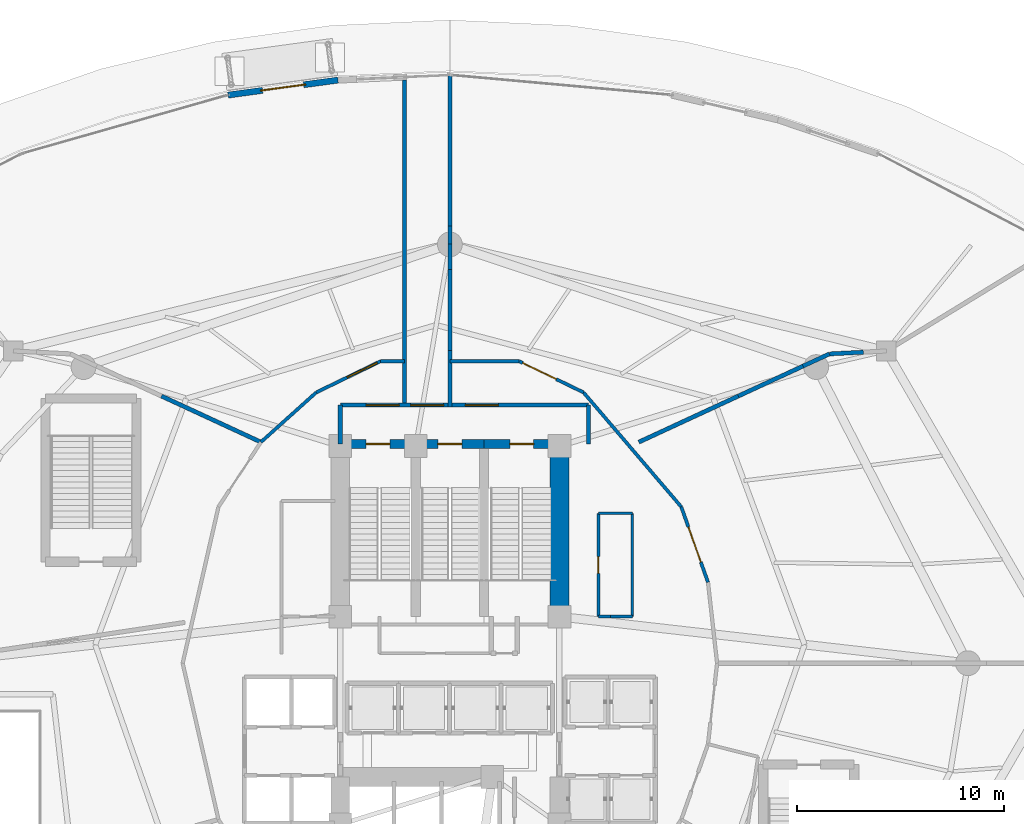
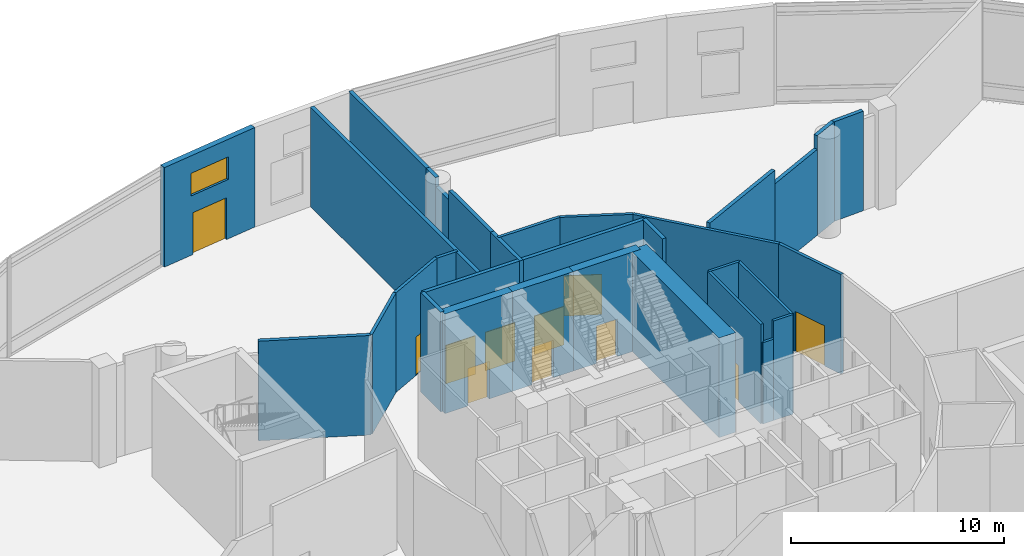
# One storey, part 34 of 40: 32 walls, 11 doors, 1 window, 12 openings.
"""IFC4 building model written with IfcOpenShell, lengths in metres."""

from ifc_helpers import new_model, si_unit, direction, frame, frame_2d, origin, place, context, subcontext, project, spatial, rectangle, extrude, material, layer, layer_set, type_object, element, fill, save


model = new_model("IFC4")

# Units and contexts
model_context = context("Model", 3, precision=1e-05, world=origin(), true_north=direction((0.0, 1.0)))
body_context = subcontext(model_context, "Body", "Model", "MODEL_VIEW")
ifc_project = project(units=[si_unit("LENGTHUNIT", "METRE"), si_unit("AREAUNIT", "SQUARE_METRE"), si_unit("VOLUMEUNIT", "CUBIC_METRE"), si_unit("PLANEANGLEUNIT", "RADIAN"), si_unit("MASSUNIT", "GRAM", prefix="KILO")], contexts=[model_context])

# Site, building, storey
site_placement = place(None, origin())
site = spatial("IfcSite", under=ifc_project, at=site_placement, CompositionType="ELEMENT")
building_placement = place(site_placement, origin())
building = spatial("IfcBuilding", under=site, at=building_placement, Name="Nuhasar Tower", CompositionType="ELEMENT")
storey_placement = place(building_placement, origin())
storey = spatial("IfcBuildingStorey", under=building, at=storey_placement, Name="L00", CompositionType="ELEMENT", Elevation=0.0)

# Wall, openings, door, window
ifc_material_1 = material(Name="Concrete C45/55", Category="concrete")
ifc_layer_1 = layer(ifc_material_1, 0.239990234375)
ifc_material_2 = material(Name="Limestone Ashlar", Category="masonry")
ifc_layer_2 = layer(ifc_material_2, 0.06005859375)
ifc_layer_set_1 = layer_set([ifc_layer_1, ifc_layer_2], Name="Concrete C45/55")
wall_type_1 = type_object("IfcWallType", Name="WL-ARC-300", PredefinedType="STANDARD", material=ifc_layer_set_1)
wall_1_placement = place(storey_placement, frame((28.27490234375, 54.27099609375, 0.0), z_axis=(0.0, 0.0, 1.0), x_axis=(0.99080162659, 0.135322343857, 0.0)))
wall_1 = element("IfcWall", 1, at=wall_1_placement, inside=storey, type_object=wall_type_1, Name="L00 Limestone Arcade Spandrel Pier 07-2", PredefinedType="STANDARD", context=body_context, shape_type="SweptSolid", body=[
    extrude(rectangle(XDim=5.365478515625, YDim=0.300048828125, at=frame_2d((2.6826171875, 0.0))), origin(), (0.0, 0.0, 1.0), 5.699951171875),
])
opening_1_placement = place(wall_1_placement, frame((1.68310546875, 0.0, 0.0)))
opening_1 = element("IfcOpeningElement", 2, at=opening_1_placement, cuts=wall_1, Name="Opening DX-01", PredefinedType="OPENING", context=body_context, shape_type="SweptSolid", body=[
    extrude(rectangle(XDim=2.0, YDim=2.39990234375, at=frame_2d((1.0, 1.199951171875))), frame((0.0, 0.16015625, 0.0), z_axis=(0.0, -1.0, 0.0), x_axis=(1.0, 0.0, 0.0)), (0.0, 0.0, 1.0), 0.320068359375),
])
opening_2_placement = place(wall_1_placement, frame((1.5830078125, 0.0, 3.39990234375)))
opening_2 = element("IfcOpeningElement", 3, at=opening_2_placement, cuts=wall_1, Name="Opening WX-03", PredefinedType="OPENING", context=body_context, shape_type="SweptSolid", body=[
    extrude(rectangle(XDim=2.199951171875, YDim=1.300048828125, at=frame_2d((1.10009765625, 0.64990234375))), frame((0.0, 0.16015625, 0.0), z_axis=(0.0, -1.0, 0.0), x_axis=(1.0, 0.0, 0.0)), (0.0, 0.0, 1.0), 0.320068359375),
])
ifc_material_3 = material(Name="Aluminium 6063-T6", Category="aluminium")
door_type_1 = type_object("IfcDoorType", Name="DR-EXT-2000", OperationType="DOUBLE_DOOR_SINGLE_SWING", PredefinedType="DOOR", material=ifc_material_3)
door_1_placement = place(opening_1_placement, origin())
door_1 = element("IfcDoor", 4, at=door_1_placement, inside=storey, type_object=door_type_1, Name="L00 Main Plaza Entrance Portal 07", OperationType="DOUBLE_DOOR_SINGLE_SWING", OverallHeight=2.39990234375, OverallWidth=2.0, PredefinedType="DOOR", context=body_context, shape_type="SweptSolid", body=[
    extrude(rectangle(XDim=2.0, YDim=2.39990234375, at=frame_2d((1.0, 1.199951171875))), frame((0.0, 0.02490234375, 0.0), z_axis=(0.0, -1.0, 0.0), x_axis=(1.0, 0.0, 0.0)), (0.0, 0.0, 1.0), 0.050048828125),
])
fill(opening_1, door_1)
ifc_material_4 = material(Name="Glass Double Low-E", Category="glass")
window_type = type_object("IfcWindowType", Name="WIN-CLER-2200", PartitioningType="DOUBLE_PANEL_HORIZONTAL", PredefinedType="WINDOW", material=ifc_material_4)
window_placement = place(opening_2_placement, origin())
window = element("IfcWindow", 5, at=window_placement, inside=storey, type_object=window_type, Name="L00 Clerestory Light Window 07-2", OverallHeight=1.300048828125, OverallWidth=2.199951171875, PartitioningType="DOUBLE_PANEL_HORIZONTAL", PredefinedType="WINDOW", context=body_context, shape_type="SweptSolid", body=[
    extrude(rectangle(XDim=2.199951171875, YDim=1.300048828125, at=frame_2d((1.10009765625, 0.64990234375))), frame((0.0, 0.030029296875, 0.0), z_axis=(0.0, -1.0, 0.0), x_axis=(1.0, 0.0, 0.0)), (0.0, 0.0, 1.0), 0.06005859375),
])
fill(opening_2, window)

# Wall, opening, door
ifc_material_5 = material(Name="Concrete C50/60", Category="concrete")
ifc_layer_3 = layer(ifc_material_5, 0.449951171875)
ifc_layer_set_2 = layer_set([ifc_layer_3], Name="Concrete C50/60")
wall_type_2 = type_object("IfcWallType", Name="WL-CORE-450", PredefinedType="SHEAR", material=ifc_layer_set_2)
wall_2_placement = place(storey_placement, frame((33.699951171875, 37.39990234375, 0.0), z_axis=(0.0, 0.0, 1.0), x_axis=(1.0, 0.0, 0.0)))
wall_2 = element("IfcWall", 6, at=wall_2_placement, inside=storey, type_object=wall_type_2, Name="L00 Stairwell Shear Wall ST01-N", PredefinedType="SHEAR", context=body_context, shape_type="SweptSolid", body=[
    extrude(rectangle(XDim=3.650146484375, YDim=0.449951171875, at=frame_2d((1.8251953125, 0.0))), origin(), (0.0, 0.0, 1.0), 5.699951171875),
])
opening_3_placement = place(wall_2_placement, frame((1.25, 0.0, 0.0)))
opening_3 = element("IfcOpeningElement", 7, at=opening_3_placement, cuts=wall_2, Name="Opening DS-01", PredefinedType="OPENING", context=body_context, shape_type="SweptSolid", body=[
    extrude(rectangle(XDim=1.14990234375, YDim=2.14990234375, at=frame_2d((0.574951171875, 1.074951171875))), frame((0.0, 0.23486328125, 0.0), z_axis=(0.0, -1.0, 0.0), x_axis=(1.0, 0.0, 0.0)), (0.0, 0.0, 1.0), 0.469970703125),
])
ifc_material_6 = material(Name="Steel S355", Category="steel")
door_type_2 = type_object("IfcDoorType", Name="DR-STAIR-FD120-1150", OperationType="NOTDEFINED", PredefinedType="DOOR", material=ifc_material_6)
door_2_placement = place(opening_3_placement, origin())
door_2 = element("IfcDoor", 8, at=door_2_placement, inside=storey, type_object=door_type_2, Name="L00 Exit Stair ST-01 Door", OperationType="SINGLE_SWING_RIGHT", OverallHeight=2.14990234375, OverallWidth=1.14990234375, PredefinedType="DOOR", context=body_context, shape_type="SweptSolid", body=[
    extrude(rectangle(XDim=1.14990234375, YDim=2.14990234375, at=frame_2d((0.574951171875, 1.074951171875))), frame((0.0, 0.02490234375, 0.0), z_axis=(0.0, -1.0, 0.0), x_axis=(1.0, 0.0, 0.0)), (0.0, 0.0, 1.0), 0.050048828125),
])
fill(opening_3, door_2)

wall_3_placement = place(storey_placement, frame((37.35009765625, 37.39990234375, 0.0), z_axis=(0.0, 0.0, 1.0), x_axis=(1.0, 0.0, 0.0)))
wall_3 = element("IfcWall", 9, at=wall_3_placement, inside=storey, type_object=wall_type_2, Name="L00 Stairwell Shear Wall ST03-N", PredefinedType="SHEAR", context=body_context, shape_type="SweptSolid", body=[
    extrude(rectangle(XDim=3.2998046875, YDim=0.449951171875, at=frame_2d((1.64990234375, 0.0))), origin(), (0.0, 0.0, 1.0), 5.699951171875),
])
opening_4_placement = place(wall_3_placement, frame((1.074951171875, 0.0, 0.0)))
opening_4 = element("IfcOpeningElement", 10, at=opening_4_placement, cuts=wall_3, Name="Opening DS-01", PredefinedType="OPENING", context=body_context, shape_type="SweptSolid", body=[
    extrude(rectangle(XDim=1.14990234375, YDim=2.14990234375, at=frame_2d((0.574951171875, 1.074951171875))), frame((0.0, 0.23486328125, 0.0), z_axis=(0.0, -1.0, 0.0), x_axis=(1.0, 0.0, 0.0)), (0.0, 0.0, 1.0), 0.469970703125),
])
door_3_placement = place(opening_4_placement, origin())
door_3 = element("IfcDoor", 11, at=door_3_placement, inside=storey, type_object=door_type_2, Name="L00 Exit Stair ST-03 Door", OperationType="SINGLE_SWING_RIGHT", OverallHeight=2.14990234375, OverallWidth=1.14990234375, PredefinedType="DOOR", context=body_context, shape_type="SweptSolid", body=[
    extrude(rectangle(XDim=1.14990234375, YDim=2.14990234375, at=frame_2d((0.574951171875, 1.074951171875))), frame((0.0, 0.02490234375, 0.0), z_axis=(0.0, -1.0, 0.0), x_axis=(1.0, 0.0, 0.0)), (0.0, 0.0, 1.0), 0.050048828125),
])
fill(opening_4, door_3)

wall_4_placement = place(storey_placement, frame((40.64990234375, 37.39990234375, 0.0), z_axis=(0.0, 0.0, 1.0), x_axis=(1.0, 0.0, 0.0)))
wall_4 = element("IfcWall", 12, at=wall_4_placement, inside=storey, type_object=wall_type_2, Name="L00 Stairwell Shear Wall ST02-N", PredefinedType="SHEAR", context=body_context, shape_type="SweptSolid", body=[
    extrude(rectangle(XDim=3.650146484375, YDim=0.449951171875, at=frame_2d((1.8251953125, 0.0))), origin(), (0.0, 0.0, 1.0), 5.699951171875),
])
opening_5_placement = place(wall_4_placement, frame((1.25, 0.0, 0.0)))
opening_5 = element("IfcOpeningElement", 13, at=opening_5_placement, cuts=wall_4, Name="Opening DS-01", PredefinedType="OPENING", context=body_context, shape_type="SweptSolid", body=[
    extrude(rectangle(XDim=1.14990234375, YDim=2.14990234375, at=frame_2d((0.574951171875, 1.074951171875))), frame((0.0, 0.23486328125, 0.0), z_axis=(0.0, -1.0, 0.0), x_axis=(1.0, 0.0, 0.0)), (0.0, 0.0, 1.0), 0.469970703125),
])
door_4_placement = place(opening_5_placement, origin())
door_4 = element("IfcDoor", 14, at=door_4_placement, inside=storey, type_object=door_type_2, Name="L00 Exit Stair ST-02 Door", OperationType="SINGLE_SWING_LEFT", OverallHeight=2.14990234375, OverallWidth=1.14990234375, PredefinedType="DOOR", context=body_context, shape_type="SweptSolid", body=[
    extrude(rectangle(XDim=1.14990234375, YDim=2.14990234375, at=frame_2d((0.574951171875, 1.074951171875))), frame((0.0, 0.02490234375, 0.0), z_axis=(0.0, -1.0, 0.0), x_axis=(1.0, 0.0, 0.0)), (0.0, 0.0, 1.0), 0.050048828125),
])
fill(opening_5, door_4)

# Wall
ifc_material_7 = material(Name="Concrete C80/95", Category="concrete")
ifc_layer_4 = layer(ifc_material_7, 0.89990234375)
ifc_layer_set_3 = layer_set([ifc_layer_4], Name="Concrete C80/95")
wall_type_3 = type_object("IfcWallType", Name="WL-CORE-900", PredefinedType="SHEAR", material=ifc_layer_set_3)
wall_5_placement = place(storey_placement, frame((44.300048828125, 29.050048828125, 0.0), z_axis=(0.0, 0.0, 1.0), x_axis=(0.0, 1.0, 0.0)))
element("IfcWall", 15, at=wall_5_placement, inside=storey, type_object=wall_type_3, Name="L00 Core Shear Wall CW-NE CW-900", PredefinedType="SHEAR", context=body_context, shape_type="SweptSolid", body=[
    extrude(rectangle(XDim=8.349853515625, YDim=0.89990234375, at=frame_2d((4.1748046875, 0.0))), origin(), (0.0, 0.0, 1.0), 5.699951171875),
])

# Wall, opening, door
ifc_material_8 = material(Name="Gypsum Board", Category="gypsum")
ifc_layer_5 = layer(ifc_material_8, 0.159912109375)
ifc_layer_set_4 = layer_set([ifc_layer_5], Name="Gypsum Board")
wall_type_4 = type_object("IfcWallType", Name="WL-CORR-160", PredefinedType="PARTITIONING", material=ifc_layer_set_4)
wall_6_placement = place(storey_placement, frame((50.18896484375, 34.360107421875, 0.0), z_axis=(0.0, 0.0, 1.0), x_axis=(0.333684770033, -0.942684716248, 0.0)))
wall_6 = element("IfcWall", 16, at=wall_6_placement, inside=storey, type_object=wall_type_4, Name="L00 Interior Partition CORR-02", PredefinedType="PARTITIONING", context=body_context, shape_type="SweptSolid", body=[
    extrude(rectangle(XDim=3.868896484375, YDim=0.159912109375, at=frame_2d((1.9345703125, 0.0))), origin(), (0.0, 0.0, 1.0), 5.699951171875),
])
opening_6_placement = place(wall_6_placement, frame((1.033935546875, 0.0, 0.0)))
opening_6 = element("IfcOpeningElement", 17, at=opening_6_placement, cuts=wall_6, Name="Opening DB-02", PredefinedType="OPENING", context=body_context, shape_type="SweptSolid", body=[
    extrude(rectangle(XDim=1.800048828125, YDim=2.300048828125, at=frame_2d((0.89990234375, 1.14990234375))), frame((0.0, 0.08984375, 0.0), z_axis=(0.0, -1.0, 0.0), x_axis=(1.0, 0.0, 0.0)), (0.0, 0.0, 1.0), 0.179931640625),
])
door_type_3 = type_object("IfcDoorType", Name="DR-BALL-FD60-1800", OperationType="DOUBLE_DOOR_SINGLE_SWING", PredefinedType="DOOR", material=ifc_material_3)
door_5_placement = place(opening_6_placement, origin())
door_5 = element("IfcDoor", 18, at=door_5_placement, inside=storey, type_object=door_type_3, Name="L00 Grand Tower Reception Hall Door", OperationType="DOUBLE_DOOR_SINGLE_SWING", OverallHeight=2.300048828125, OverallWidth=1.800048828125, PredefinedType="DOOR", context=body_context, shape_type="SweptSolid", body=[
    extrude(rectangle(XDim=1.800048828125, YDim=2.300048828125, at=frame_2d((0.89990234375, 1.14990234375))), frame((0.0, 0.02490234375, 0.0), z_axis=(0.0, -1.0, 0.0), x_axis=(1.0, 0.0, 0.0)), (0.0, 0.0, 1.0), 0.050048828125),
])
fill(opening_6, door_5)

# Wall
wall_7_placement = place(storey_placement, frame((50.18896484375, 34.360107421875, 0.0), z_axis=(0.0, 0.0, 1.0), x_axis=(-0.649652680018, 0.760231145998, 0.0)))
element("IfcWall", 19, at=wall_7_placement, inside=storey, type_object=wall_type_4, Name="L00 Interior Partition CORR-04", PredefinedType="PARTITIONING", context=body_context, shape_type="SweptSolid", body=[
    extrude(rectangle(XDim=7.279296875, YDim=0.159912109375, at=frame_2d((3.6396484375, 0.0))), origin(), (0.0, 0.0, 1.0), 5.699951171875),
])

# Wall, opening, door
wall_8_placement = place(storey_placement, frame((42.343994140625, 41.405029296875, 0.0), z_axis=(0.0, 0.0, 1.0), x_axis=(0.899789784655, -0.436323668199, 0.0)))
wall_8 = element("IfcWall", 20, at=wall_8_placement, inside=storey, type_object=wall_type_4, Name="L00 Interior Partition CORR-08", PredefinedType="PARTITIONING", context=body_context, shape_type="SweptSolid", body=[
    extrude(rectangle(XDim=3.462890625, YDim=0.159912109375, at=frame_2d((1.7314453125, 0.0))), origin(), (0.0, 0.0, 1.0), 5.699951171875),
])
opening_7_placement = place(wall_8_placement, frame((0.199951171875, 0.0, 0.0)))
opening_7 = element("IfcOpeningElement", 21, at=opening_7_placement, cuts=wall_8, Name="Opening DB-02", PredefinedType="OPENING", context=body_context, shape_type="SweptSolid", body=[
    extrude(rectangle(XDim=1.800048828125, YDim=2.300048828125, at=frame_2d((0.89990234375, 1.14990234375))), frame((0.0, 0.08984375, 0.0), z_axis=(0.0, -1.0, 0.0), x_axis=(1.0, 0.0, 0.0)), (0.0, 0.0, 1.0), 0.179931640625),
])
door_6_placement = place(opening_7_placement, origin())
door_6 = element("IfcDoor", 22, at=door_6_placement, inside=storey, type_object=door_type_3, Name="L00 Hotel Porte-Cochere Concierge Door", OperationType="DOUBLE_DOOR_SINGLE_SWING", OverallHeight=2.300048828125, OverallWidth=1.800048828125, PredefinedType="DOOR", context=body_context, shape_type="SweptSolid", body=[
    extrude(rectangle(XDim=1.800048828125, YDim=2.300048828125, at=frame_2d((0.89990234375, 1.14990234375))), frame((0.0, 0.02490234375, 0.0), z_axis=(0.0, -1.0, 0.0), x_axis=(1.0, 0.0, 0.0)), (0.0, 0.0, 1.0), 0.050048828125),
])
fill(opening_7, door_6)

wall_9_placement = place(storey_placement, frame((32.5400390625, 39.89404296875, 0.0), z_axis=(0.0, 0.0, 1.0), x_axis=(0.899789784655, 0.436323668199, 0.0)))
wall_9 = element("IfcWall", 23, at=wall_9_placement, inside=storey, type_object=wall_type_4, Name="L00 Interior Partition CORR-14", PredefinedType="PARTITIONING", context=body_context, shape_type="SweptSolid", body=[
    extrude(rectangle(XDim=3.462890625, YDim=0.159912109375, at=frame_2d((1.7314453125, 0.0))), origin(), (0.0, 0.0, 1.0), 5.699951171875),
])
opening_8_placement = place(wall_9_placement, frame((1.6630859375, 0.0, 0.0)))
opening_8 = element("IfcOpeningElement", 24, at=opening_8_placement, cuts=wall_9, Name="Opening DC-01", PredefinedType="OPENING", context=body_context, shape_type="SweptSolid", body=[
    extrude(rectangle(XDim=1.60009765625, YDim=2.199951171875, at=frame_2d((0.800048828125, 1.10009765625))), frame((0.0, 0.08984375, 0.0), z_axis=(0.0, -1.0, 0.0), x_axis=(1.0, 0.0, 0.0)), (0.0, 0.0, 1.0), 0.179931640625),
])
door_type_4 = type_object("IfcDoorType", Name="DR-CORR-FD60-1600", OperationType="DOUBLE_DOOR_SINGLE_SWING", PredefinedType="DOOR", material=ifc_material_6)
door_7_placement = place(opening_8_placement, origin())
door_7 = element("IfcDoor", 25, at=door_7_placement, inside=storey, type_object=door_type_4, Name="L00 Residential Private Lobby Door", OperationType="DOUBLE_DOOR_SINGLE_SWING", OverallHeight=2.199951171875, OverallWidth=1.60009765625, PredefinedType="DOOR", context=body_context, shape_type="SweptSolid", body=[
    extrude(rectangle(XDim=1.60009765625, YDim=2.199951171875, at=frame_2d((0.800048828125, 1.10009765625))), frame((0.0, 0.02490234375, 0.0), z_axis=(0.0, -1.0, 0.0), x_axis=(1.0, 0.0, 0.0)), (0.0, 0.0, 1.0), 0.050048828125),
])
fill(opening_8, door_7)

# Walls
wall_10_placement = place(storey_placement, frame((32.5400390625, 39.89404296875, 0.0), z_axis=(0.0, 0.0, 1.0), x_axis=(-0.744032872127, -0.668143012531, 0.0)))
element("IfcWall", 26, at=wall_10_placement, inside=storey, type_object=wall_type_4, Name="L00 Interior Partition CORR-16", PredefinedType="PARTITIONING", context=body_context, shape_type="SweptSolid", body=[
    extrude(rectangle(XDim=3.5966796875, YDim=0.159912109375, at=frame_2d((1.79833984375, 0.0))), origin(), (0.0, 0.0, 1.0), 5.699951171875),
])
wall_11_placement = place(storey_placement, frame((42.343994140625, 41.405029296875, 0.0), z_axis=(0.0, 0.0, 1.0), x_axis=(-1.0, 0.0, 0.0)))
element("IfcWall", 27, at=wall_11_placement, inside=storey, type_object=wall_type_4, Name="L00 Interior Partition CORR-10", PredefinedType="PARTITIONING", context=body_context, shape_type="SweptSolid", body=[
    extrude(rectangle(XDim=3.343994140625, YDim=0.159912109375, at=frame_2d((1.671875, 0.0))), origin(), (0.0, 0.0, 1.0), 5.699951171875),
])
wall_12_placement = place(storey_placement, frame((36.800048828125, 41.405029296875, 0.0), z_axis=(0.0, 0.0, 1.0), x_axis=(-1.0, 0.0, 0.0)))
element("IfcWall", 28, at=wall_12_placement, inside=storey, type_object=wall_type_4, Name="L00 Interior Partition CORR-12", PredefinedType="PARTITIONING", context=body_context, shape_type="SweptSolid", body=[
    extrude(rectangle(XDim=1.14404296875, YDim=0.159912109375, at=frame_2d((0.572021484375, 0.0))), origin(), (0.0, 0.0, 1.0), 5.699951171875),
])
ifc_layer_6 = layer(ifc_material_1, 0.199951171875)
ifc_layer_set_5 = layer_set([ifc_layer_6], Name="Concrete C45/55")
wall_type_5 = type_object("IfcWallType", Name="WL-LOBBY-200", PredefinedType="SOLIDWALL", material=ifc_layer_set_5)
for number, where, z_axis, x_axis, name in (
    (29, (33.699951171875, 37.39990234375, 0.0), (0.0, 0.0, 1.0), (0.0, 1.0, 0.0), "L00 Interior Partition NSL-W"),
    (30, (45.699951171875, 37.39990234375, 0.0), (0.0, 0.0, 1.0), (0.0, 1.0, 0.0), "L00 Interior Partition NSL-E"),
):
    element("IfcWall", number, at=place(storey_placement, frame(where, z_axis=z_axis, x_axis=x_axis)), inside=storey, type_object=wall_type_5, Name=name, PredefinedType="SOLIDWALL", context=body_context, shape_type="SweptSolid", body=[
        extrude(rectangle(XDim=1.880126953125, YDim=0.199951171875, at=frame_2d((0.93994140625, 0.0))), origin(), (0.0, 0.0, 1.0), 5.699951171875),
    ])

# Wall, openings, doors
wall_13_placement = place(storey_placement, frame((33.699951171875, 39.280029296875, 0.0), z_axis=(0.0, 0.0, 1.0), x_axis=(1.0, 0.0, 0.0)))
wall_13 = element("IfcWall", 31, at=wall_13_placement, inside=storey, type_object=wall_type_5, Name="L00 Interior Partition NSL-N1", PredefinedType="SOLIDWALL", context=body_context, shape_type="SweptSolid", body=[
    extrude(rectangle(XDim=5.199951171875, YDim=0.199951171875, at=frame_2d((2.60009765625, 0.0))), origin(), (0.0, 0.0, 1.0), 5.699951171875),
])
opening_9_placement = place(wall_13_placement, frame((1.25, 0.0, 0.0)))
opening_9 = element("IfcOpeningElement", 32, at=opening_9_placement, cuts=wall_13, Name="Opening DC-01", PredefinedType="OPENING", context=body_context, shape_type="SweptSolid", body=[
    extrude(rectangle(XDim=1.60009765625, YDim=2.199951171875, at=frame_2d((0.800048828125, 1.10009765625))), frame((0.0, 0.10986328125, 0.0), z_axis=(0.0, -1.0, 0.0), x_axis=(1.0, 0.0, 0.0)), (0.0, 0.0, 1.0), 0.219970703125),
])
opening_10_placement = place(wall_13_placement, frame((3.39990234375, 0.0, 0.0)))
opening_10 = element("IfcOpeningElement", 33, at=opening_10_placement, cuts=wall_13, Name="Opening DC-01", PredefinedType="OPENING", context=body_context, shape_type="SweptSolid", body=[
    extrude(rectangle(XDim=1.60009765625, YDim=2.199951171875, at=frame_2d((0.800048828125, 1.10009765625))), frame((0.0, 0.10986328125, 0.0), z_axis=(0.0, -1.0, 0.0), x_axis=(1.0, 0.0, 0.0)), (0.0, 0.0, 1.0), 0.219970703125),
])
door_8_placement = place(opening_9_placement, origin())
door_8 = element("IfcDoor", 34, at=door_8_placement, inside=storey, type_object=door_type_4, Name="L00 North Stair Lobby West Door", OperationType="DOUBLE_DOOR_SINGLE_SWING", OverallHeight=2.199951171875, OverallWidth=1.60009765625, PredefinedType="DOOR", context=body_context, shape_type="SweptSolid", body=[
    extrude(rectangle(XDim=1.60009765625, YDim=2.199951171875, at=frame_2d((0.800048828125, 1.10009765625))), frame((0.0, 0.02490234375, 0.0), z_axis=(0.0, -1.0, 0.0), x_axis=(1.0, 0.0, 0.0)), (0.0, 0.0, 1.0), 0.050048828125),
])
fill(opening_9, door_8)
door_9_placement = place(opening_10_placement, origin())
door_9 = element("IfcDoor", 35, at=door_9_placement, inside=storey, type_object=door_type_4, Name="L00 North Stair Lobby Exit Passage Door", OperationType="DOUBLE_DOOR_SINGLE_SWING", OverallHeight=2.199951171875, OverallWidth=1.60009765625, PredefinedType="DOOR", context=body_context, shape_type="SweptSolid", body=[
    extrude(rectangle(XDim=1.60009765625, YDim=2.199951171875, at=frame_2d((0.800048828125, 1.10009765625))), frame((0.0, 0.02490234375, 0.0), z_axis=(0.0, -1.0, 0.0), x_axis=(1.0, 0.0, 0.0)), (0.0, 0.0, 1.0), 0.050048828125),
])
fill(opening_10, door_9)

# Wall, opening, door
wall_14_placement = place(storey_placement, frame((39.10009765625, 39.280029296875, 0.0), z_axis=(0.0, 0.0, 1.0), x_axis=(1.0, 0.0, 0.0)))
wall_14 = element("IfcWall", 36, at=wall_14_placement, inside=storey, type_object=wall_type_5, Name="L00 Interior Partition NSL-N2", PredefinedType="SOLIDWALL", context=body_context, shape_type="SweptSolid", body=[
    extrude(rectangle(XDim=6.599853515625, YDim=0.199951171875, at=frame_2d((3.2998046875, 0.0))), origin(), (0.0, 0.0, 1.0), 5.699951171875),
])
opening_11_placement = place(wall_14_placement, frame((0.64990234375, 0.0, 0.0)))
opening_11 = element("IfcOpeningElement", 37, at=opening_11_placement, cuts=wall_14, Name="Opening DC-01", PredefinedType="OPENING", context=body_context, shape_type="SweptSolid", body=[
    extrude(rectangle(XDim=1.60009765625, YDim=2.199951171875, at=frame_2d((0.800048828125, 1.10009765625))), frame((0.0, 0.10986328125, 0.0), z_axis=(0.0, -1.0, 0.0), x_axis=(1.0, 0.0, 0.0)), (0.0, 0.0, 1.0), 0.219970703125),
])
door_10_placement = place(opening_11_placement, origin())
door_10 = element("IfcDoor", 38, at=door_10_placement, inside=storey, type_object=door_type_4, Name="L00 North Stair Lobby East Door", OperationType="DOUBLE_DOOR_SINGLE_SWING", OverallHeight=2.199951171875, OverallWidth=1.60009765625, PredefinedType="DOOR", context=body_context, shape_type="SweptSolid", body=[
    extrude(rectangle(XDim=1.60009765625, YDim=2.199951171875, at=frame_2d((0.800048828125, 1.10009765625))), frame((0.0, 0.02490234375, 0.0), z_axis=(0.0, -1.0, 0.0), x_axis=(1.0, 0.0, 0.0)), (0.0, 0.0, 1.0), 0.050048828125),
])
fill(opening_11, door_10)

# Walls
wall_15_placement = place(storey_placement, frame((39.0, 39.179931640625, 0.0), z_axis=(0.0, 0.0, 1.0), x_axis=(0.0, 1.0, 0.0)))
element("IfcWall", 39, at=wall_15_placement, inside=storey, type_object=wall_type_5, Name="L00 Interior Partition EXP-E1", PredefinedType="SOLIDWALL", context=body_context, shape_type="SweptSolid", body=[
    extrude(rectangle(XDim=2.739990234375, YDim=0.199951171875, at=frame_2d((1.3701171875, 0.0))), origin(), (0.0, 0.0, 1.0), 5.699951171875),
])
wall_16_placement = place(storey_placement, frame((36.800048828125, 39.280029296875, 0.0), z_axis=(0.0, 0.0, 1.0), x_axis=(0.0, 1.0, 0.0)))
element("IfcWall", 40, at=wall_16_placement, inside=storey, type_object=wall_type_5, Name="L00 Interior Partition EXP-W", PredefinedType="SOLIDWALL", context=body_context, shape_type="SweptSolid", body=[
    extrude(rectangle(XDim=15.72607421875, YDim=0.199951171875, at=frame_2d((7.863037109375, 0.0))), origin(), (0.0, 0.0, 1.0), 5.699951171875),
])
ifc_material_9 = material(Name="Concrete C40/50 precast", Category="concrete")
ifc_layer_7 = layer(ifc_material_9, 0.199951171875)
ifc_layer_set_6 = layer_set([ifc_layer_7], Name="Concrete C40/50 precast")
wall_type_6 = type_object("IfcWallType", Name="WL-UNIT-200", PredefinedType="PARTITIONING", material=ifc_layer_set_6)
wall_17_placement = place(storey_placement, frame((48.135986328125, 37.490966796875, 0.0), z_axis=(0.0, 0.0, 1.0), x_axis=(0.907524785669, 0.419998527851, 0.0)))
element("IfcWall", 41, at=wall_17_placement, inside=storey, type_object=wall_type_6, Name="L00 Interior Partition PRAD-06-S1", PredefinedType="PARTITIONING", context=body_context, shape_type="SweptSolid", body=[
    extrude(rectangle(XDim=5.30029296875, YDim=0.199951171875, at=frame_2d((2.650146484375, 0.0))), origin(), (0.0, 0.0, 1.0), 5.699951171875),
])
wall_18_placement = place(storey_placement, frame((52.946044921875, 39.717041015625, 0.0), z_axis=(0.0, 0.0, 1.0), x_axis=(0.90747190463, 0.420112773321, 0.0)))
element("IfcWall", 42, at=wall_18_placement, inside=storey, type_object=wall_type_6, Name="L00 Interior Partition PRAD-06-S1", PredefinedType="PARTITIONING", context=body_context, shape_type="SweptSolid", body=[
    extrude(rectangle(XDim=3.448974609375, YDim=0.199951171875, at=frame_2d((1.724609375, 0.0))), origin(), (0.0, 0.0, 1.0), 4.919921875),
])
wall_19_placement = place(storey_placement, frame((56.075927734375, 41.166015625, 0.0), z_axis=(0.0, 0.0, 1.0), x_axis=(0.907622896373, 0.419786467124, 0.0)))
element("IfcWall", 43, at=wall_19_placement, inside=storey, type_object=wall_type_6, Name="L00 Interior Partition PRAD-06-S1", PredefinedType="PARTITIONING", context=body_context, shape_type="SweptSolid", body=[
    extrude(rectangle(XDim=1.40283203125, YDim=0.199951171875, at=frame_2d((0.701416015625, 0.0))), origin(), (0.0, 0.0, 1.0), 5.699951171875),
])
wall_20_placement = place(storey_placement, frame((57.34912109375, 41.7548828125, 0.0), z_axis=(0.0, 0.0, 1.0), x_axis=(0.998685128887, 0.051264152576, 0.0)))
element("IfcWall", 44, at=wall_20_placement, inside=storey, type_object=wall_type_6, Name="L00 Interior Partition PRAD-06-S2", PredefinedType="PARTITIONING", context=body_context, shape_type="SweptSolid", body=[
    extrude(rectangle(XDim=1.64306640625, YDim=0.199951171875, at=frame_2d((0.821533203125, 0.0))), origin(), (0.0, 0.0, 1.0), 5.699951171875),
])
wall_21_placement = place(storey_placement, frame((39.0, 41.919921875, 0.0), z_axis=(0.0, 0.0, 1.0), x_axis=(0.0, 1.0, 0.0)))
element("IfcWall", 45, at=wall_21_placement, inside=storey, type_object=wall_type_6, Name="L00 Interior Partition PRAD-12-S1", PredefinedType="PARTITIONING", context=body_context, shape_type="SweptSolid", body=[
    extrude(rectangle(XDim=3.9130859375, YDim=0.199951171875, at=frame_2d((1.95654296875, 0.0))), origin(), (0.0, 0.0, 1.0), 5.699951171875),
])
wall_22_placement = place(storey_placement, frame((39.0, 45.8330078125, 0.0), z_axis=(0.0, 0.0, 1.0), x_axis=(0.0, 1.0, 0.0)))
element("IfcWall", 46, at=wall_22_placement, inside=storey, type_object=wall_type_6, Name="L00 Interior Partition PRAD-12-S1", PredefinedType="PARTITIONING", context=body_context, shape_type="SweptSolid", body=[
    extrude(rectangle(XDim=1.23388671875, YDim=0.199951171875, at=frame_2d((0.616943359375, 0.0))), origin(), (0.0, 0.0, 1.0), 5.1650390625),
])
wall_23_placement = place(storey_placement, frame((39.0, 47.06689453125, 0.0), z_axis=(0.0, 0.0, 1.0), x_axis=(0.0, 1.0, 0.0)))
element("IfcWall", 47, at=wall_23_placement, inside=storey, type_object=wall_type_6, Name="L00 Interior Partition PRAD-12-S1", PredefinedType="PARTITIONING", context=body_context, shape_type="SweptSolid", body=[
    extrude(rectangle(XDim=0.883056640625, YDim=0.199951171875, at=frame_2d((0.44140625, 0.0))), origin(), (0.0, 0.0, 1.0), 5.699951171875),
])
wall_24_placement = place(storey_placement, frame((39.0, 47.949951171875, 0.0), z_axis=(0.0, 0.0, 1.0), x_axis=(0.0, 1.0, 0.0)))
element("IfcWall", 48, at=wall_24_placement, inside=storey, type_object=wall_type_6, Name="L00 Interior Partition PRAD-12-S2", PredefinedType="PARTITIONING", context=body_context, shape_type="SweptSolid", body=[
    extrude(rectangle(XDim=7.255126953125, YDim=0.199951171875, at=frame_2d((3.62744140625, 0.0))), origin(), (0.0, 0.0, 1.0), 5.699951171875),
])
wall_25_placement = place(storey_placement, frame((29.864013671875, 37.490966796875, 0.0), z_axis=(0.0, 0.0, 1.0), x_axis=(-0.907524785669, 0.419998527851, 0.0)))
element("IfcWall", 49, at=wall_25_placement, inside=storey, type_object=wall_type_6, Name="L00 Interior Partition PRAD-18-S1", PredefinedType="PARTITIONING", context=body_context, shape_type="SweptSolid", body=[
    extrude(rectangle(XDim=5.30029296875, YDim=0.199951171875, at=frame_2d((2.650146484375, 0.0))), origin(), (0.0, 0.0, 1.0), 5.699951171875),
])

# Wall, opening, door
ifc_layer_8 = layer(ifc_material_9, 0.139892578125)
ifc_layer_set_7 = layer_set([ifc_layer_8], Name="Concrete C40/50 precast")
wall_type_7 = type_object("IfcWallType", Name="WL-WET-140", PredefinedType="PARTITIONING", material=ifc_layer_set_7)
wall_26_placement = place(storey_placement, frame((46.179931640625, 34.050048828125, 0.0), z_axis=(0.0, 0.0, 1.0), x_axis=(0.0, -1.0, 0.0)))
wall_26 = element("IfcWall", 50, at=wall_26_placement, inside=storey, type_object=wall_type_7, Name="L00 Interior Partition K3-NE-W", PredefinedType="PARTITIONING", context=body_context, shape_type="SweptSolid", body=[
    extrude(rectangle(XDim=5.0, YDim=0.139892578125, at=frame_2d((2.5, 0.0))), origin(), (0.0, 0.0, 1.0), 5.699951171875),
])
opening_12_placement = place(wall_26_placement, frame((2.10009765625, 0.0, 0.0)))
opening_12 = element("IfcOpeningElement", 51, at=opening_12_placement, cuts=wall_26, Name="Opening DM-01", PredefinedType="OPENING", context=body_context, shape_type="SweptSolid", body=[
    extrude(rectangle(XDim=0.800048828125, YDim=2.050048828125, at=frame_2d((0.39990234375, 1.02490234375))), frame((0.0, 0.080078125, 0.0), z_axis=(0.0, -1.0, 0.0), x_axis=(1.0, 0.0, 0.0)), (0.0, 0.0, 1.0), 0.159912109375),
])
door_type_5 = type_object("IfcDoorType", Name="DR-RISER-FD60-800", OperationType="NOTDEFINED", PredefinedType="DOOR", material=ifc_material_6)
door_11_placement = place(opening_12_placement, origin())
door_11 = element("IfcDoor", 52, at=door_11_placement, inside=storey, type_object=door_type_5, Name="L00 NE Switchgear Room Door", OperationType="SINGLE_SWING_LEFT", OverallHeight=2.050048828125, OverallWidth=0.800048828125, PredefinedType="DOOR", context=body_context, shape_type="SweptSolid", body=[
    extrude(rectangle(XDim=0.800048828125, YDim=2.050048828125, at=frame_2d((0.39990234375, 1.02490234375))), frame((0.0, 0.02490234375, 0.0), z_axis=(0.0, -1.0, 0.0), x_axis=(1.0, 0.0, 0.0)), (0.0, 0.0, 1.0), 0.050048828125),
])
fill(opening_12, door_11)

# Walls
wall_27_placement = place(storey_placement, frame((46.179931640625, 29.050048828125, 0.0), z_axis=(0.0, 0.0, 1.0), x_axis=(1.0, 0.0, 0.0)))
element("IfcWall", 53, at=wall_27_placement, inside=storey, type_object=wall_type_7, Name="L00 Interior Partition K3-NE-S", PredefinedType="PARTITIONING", context=body_context, shape_type="SweptSolid", body=[
    extrude(rectangle(XDim=0.590087890625, YDim=0.139892578125, at=frame_2d((0.294921875, 0.0))), origin(), (0.0, 0.0, 1.0), 4.659912109375),
])
wall_28_placement = place(storey_placement, frame((46.77001953125, 29.050048828125, 0.0), z_axis=(0.0, 0.0, 1.0), x_axis=(1.0, 0.0, 0.0)))
element("IfcWall", 54, at=wall_28_placement, inside=storey, type_object=wall_type_7, Name="L00 Interior Partition K3-NE-S", PredefinedType="PARTITIONING", context=body_context, shape_type="SweptSolid", body=[
    extrude(rectangle(XDim=1.050048828125, YDim=0.139892578125, at=frame_2d((0.52490234375, 0.0))), origin(), (0.0, 0.0, 1.0), 5.699951171875),
])
wall_29_placement = place(storey_placement, frame((46.179931640625, 34.050048828125, 0.0), z_axis=(0.0, 0.0, 1.0), x_axis=(1.0, 0.0, 0.0)))
element("IfcWall", 55, at=wall_29_placement, inside=storey, type_object=wall_type_7, Name="L00 Interior Partition K3-NE-N", PredefinedType="PARTITIONING", context=body_context, shape_type="SweptSolid", body=[
    extrude(rectangle(XDim=1.64013671875, YDim=0.139892578125, at=frame_2d((0.820068359375, 0.0))), origin(), (0.0, 0.0, 1.0), 5.699951171875),
])
wall_30_placement = place(storey_placement, frame((47.820068359375, 29.050048828125, 0.0), z_axis=(0.0, 0.0, 1.0), x_axis=(0.0, 1.0, 0.0)))
element("IfcWall", 56, at=wall_30_placement, inside=storey, type_object=wall_type_7, Name="L00 Interior Partition K3-NE-E", PredefinedType="PARTITIONING", context=body_context, shape_type="SweptSolid", body=[
    extrude(rectangle(XDim=5.0, YDim=0.139892578125, at=frame_2d((2.5, 0.0))), origin(), (0.0, 0.0, 1.0), 5.699951171875),
])

save(model, "model.ifc")
